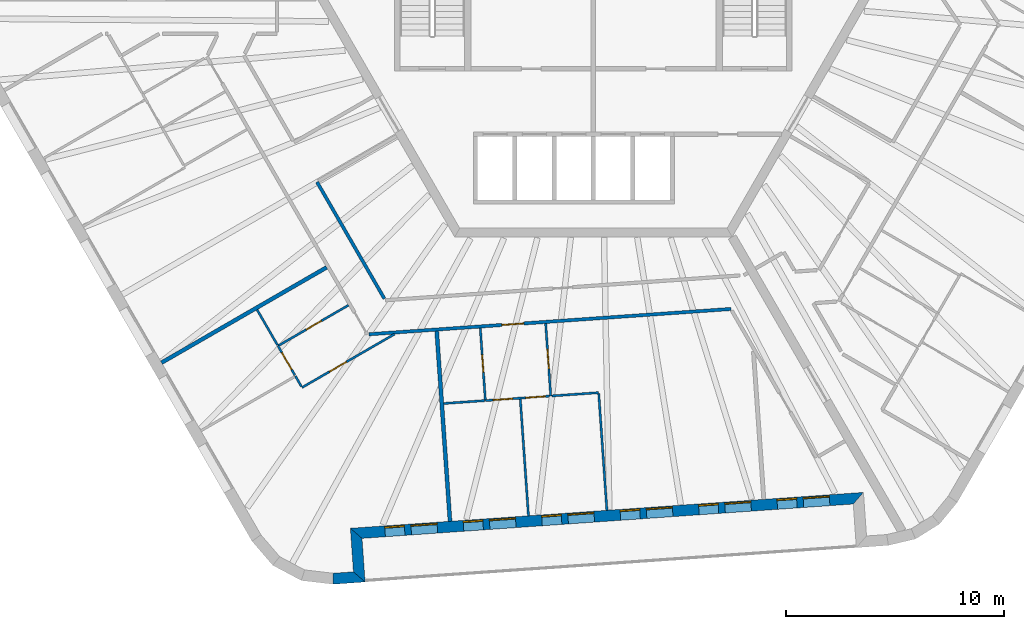
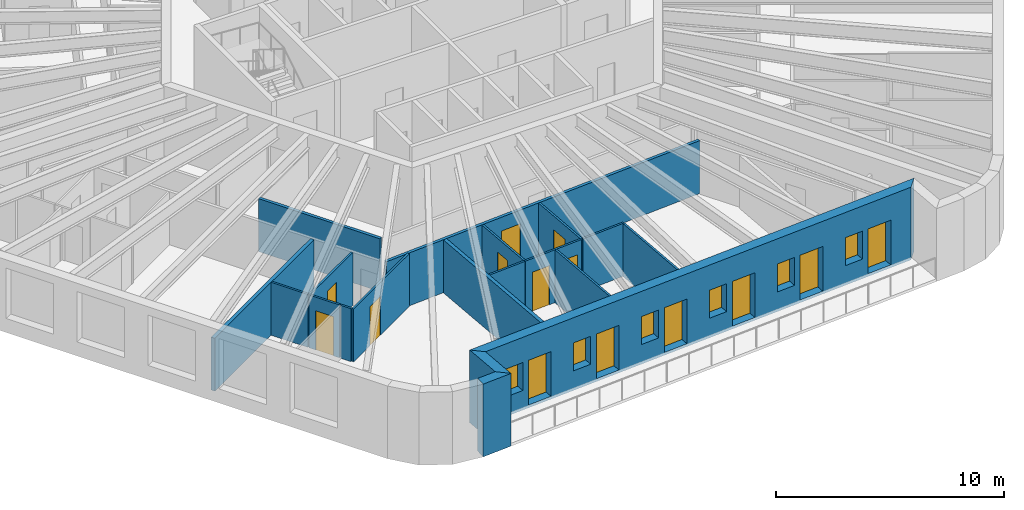
# One storey, part 3 of 12: 19 walls, 14 doors, 6 windows, 20 openings.
"""IFC4 building model written with IfcOpenShell, lengths in metres."""

from ifc_helpers import new_model, si_unit, direction, frame, frame_2d, origin, place, context, subcontext, project, spatial, polyline, rectangle, outline, extrude, material, layer, layer_set, type_object, element, fill, save


model = new_model("IFC4")

# Units and contexts
model_context = context("Model", 3, precision=1e-05, world=origin(), true_north=direction((0.0, 1.0)))
body_context = subcontext(model_context, "Body", "Model", "MODEL_VIEW")
ifc_project = project(units=[si_unit("LENGTHUNIT", "METRE"), si_unit("AREAUNIT", "SQUARE_METRE"), si_unit("VOLUMEUNIT", "CUBIC_METRE"), si_unit("PLANEANGLEUNIT", "RADIAN"), si_unit("MASSUNIT", "GRAM", prefix="KILO")], contexts=[model_context])

# Site, building, storey
site_placement = place(None, origin())
site = spatial("IfcSite", under=ifc_project, at=site_placement, CompositionType="ELEMENT")
building_placement = place(site_placement, origin())
building = spatial("IfcBuilding", under=site, at=building_placement, Name="Tarnside Tower", CompositionType="ELEMENT")
storey_placement = place(building_placement, frame((0.0, 0.0, 330.300048828125)))
storey = spatial("IfcBuildingStorey", under=building, at=storey_placement, Name="L80", CompositionType="ELEMENT", Elevation=330.300048828125)

# Wall, opening, door
ifc_material_1 = material(Name="Gypsum board partition on steel studs", Category="steel")
ifc_layer_1 = layer(ifc_material_1, 0.10009765625)
ifc_layer_set_1 = layer_set([ifc_layer_1], Name="Bathroom wall 100")
wall_type_1 = type_object("IfcWallType", Name="Bathroom wall 100", PredefinedType="PARTITIONING", material=ifc_layer_set_1)
wall_1_placement = place(storey_placement, frame((-11.215087890625, -14.124755859375, 0.0), z_axis=(0.0, 0.0, 1.0), x_axis=(-0.866028424924, -0.499994767197, 0.0)))
wall_1 = element("IfcWall", 1, at=wall_1_placement, inside=storey, type_object=wall_type_1, Name="Bathroom wall 26125", PredefinedType="PARTITIONING", context=body_context, shape_type="SweptSolid", body=[
    extrude(rectangle(XDim=3.72509765625, YDim=0.10009765625, at=frame_2d((1.862548828125, 0.0))), origin(), (0.0, 0.0, 1.0), 2.837646484375),
])
opening_1_placement = place(wall_1_placement, frame((1.425048828125, 0.0, 0.0)))
opening_1 = element("IfcOpeningElement", 2, at=opening_1_placement, cuts=wall_1, Name="Opening D-B1", PredefinedType="OPENING", context=body_context, shape_type="SweptSolid", body=[
    extrude(rectangle(XDim=0.800048828125, YDim=2.10009765625, at=frame_2d((0.39990234375, 1.050048828125))), frame((0.0, 0.06005859375, 0.0), z_axis=(0.0, -1.0, 0.0), x_axis=(1.0, 0.0, 0.0)), (0.0, 0.0, 1.0), 0.1201171875),
])
ifc_material_2 = material(Name="Timber door leaf", Category="wood")
door_type_1 = type_object("IfcDoorType", Name="Bathroom door 800", OperationType="NOTDEFINED", PredefinedType="DOOR", material=ifc_material_2)
door_1_placement = place(opening_1_placement, origin())
door_1 = element("IfcDoor", 3, at=door_1_placement, inside=storey, type_object=door_type_1, Name="Bathroom door 26031", OperationType="SINGLE_SWING_RIGHT", OverallHeight=2.10009765625, OverallWidth=0.800048828125, PredefinedType="DOOR", context=body_context, shape_type="SweptSolid", body=[
    extrude(rectangle(XDim=0.800048828125, YDim=2.10009765625, at=frame_2d((0.39990234375, 1.050048828125))), frame((0.0, 0.02490234375, 0.0), z_axis=(0.0, -1.0, 0.0), x_axis=(1.0, 0.0, 0.0)), (0.0, 0.0, 1.0), 0.050048828125),
])
fill(opening_1, door_1)

# Wall
wall_2_placement = place(storey_placement, frame((-15.396240234375, -14.333251953125, 0.0), z_axis=(0.0, 0.0, 1.0), x_axis=(0.500115926523, -0.865958463229, 0.0)))
element("IfcWall", 4, at=wall_2_placement, inside=storey, type_object=wall_type_1, Name="Bathroom wall 26127", PredefinedType="PARTITIONING", context=body_context, shape_type="SweptSolid", body=[
    extrude(rectangle(XDim=1.86181640625, YDim=0.10009765625, at=frame_2d((0.930908203125, 0.0))), origin(), (0.0, 0.0, 1.0), 2.837646484375),
])

# Wall, opening, door
wall_3_placement = place(storey_placement, frame((-5.178955078125, -15.17333984375, 0.0), z_axis=(0.0, 0.0, 1.0), x_axis=(0.069754598287, -0.997564181403, 0.0)))
wall_3 = element("IfcWall", 5, at=wall_3_placement, inside=storey, type_object=wall_type_1, Name="Bathroom wall 26132", PredefinedType="PARTITIONING", context=body_context, shape_type="SweptSolid", body=[
    extrude(rectangle(XDim=3.324951171875, YDim=0.10009765625, at=frame_2d((1.66259765625, 0.0))), origin(), (0.0, 0.0, 1.0), 2.837646484375),
])
opening_2_placement = place(wall_3_placement, frame((1.22509765625, 0.0, 0.0)))
opening_2 = element("IfcOpeningElement", 6, at=opening_2_placement, cuts=wall_3, Name="Opening D-B1", PredefinedType="OPENING", context=body_context, shape_type="SweptSolid", body=[
    extrude(rectangle(XDim=0.800048828125, YDim=2.10009765625, at=frame_2d((0.39990234375, 1.050048828125))), frame((0.0, 0.06005859375, 0.0), z_axis=(0.0, -1.0, 0.0), x_axis=(1.0, 0.0, 0.0)), (0.0, 0.0, 1.0), 0.1201171875),
])
door_2_placement = place(opening_2_placement, origin())
door_2 = element("IfcDoor", 7, at=door_2_placement, inside=storey, type_object=door_type_1, Name="Bathroom door 26035", OperationType="SINGLE_SWING_RIGHT", OverallHeight=2.10009765625, OverallWidth=0.800048828125, PredefinedType="DOOR", context=body_context, shape_type="SweptSolid", body=[
    extrude(rectangle(XDim=0.800048828125, YDim=2.10009765625, at=frame_2d((0.39990234375, 1.050048828125))), frame((0.0, 0.02490234375, 0.0), z_axis=(0.0, -1.0, 0.0), x_axis=(1.0, 0.0, 0.0)), (0.0, 0.0, 1.0), 0.050048828125),
])
fill(opening_2, door_2)

# Wall
wall_4_placement = place(storey_placement, frame((-6.852294921875, -18.623291015625, 0.0), z_axis=(0.0, 0.0, 1.0), x_axis=(0.997564079323, 0.069756058123, 0.0)))
element("IfcWall", 8, at=wall_4_placement, inside=storey, type_object=wall_type_1, Name="Bathroom wall 26135", PredefinedType="PARTITIONING", context=body_context, shape_type="SweptSolid", body=[
    extrude(rectangle(XDim=1.862060546875, YDim=0.10009765625, at=frame_2d((0.93115234375, 0.0))), origin(), (0.0, 0.0, 1.0), 2.837646484375),
])

# Wall, opening, door
ifc_layer_2 = layer(ifc_material_1, 0.14990234375)
ifc_layer_set_2 = layer_set([ifc_layer_2], Name="Corridor wall 150 EI 60")
wall_type_2 = type_object("IfcWallType", Name="Corridor wall 150 EI 60", PredefinedType="PARTITIONING", material=ifc_layer_set_2)
wall_5_placement = place(storey_placement, frame((-10.2744140625, -15.454345703125, 0.0), z_axis=(0.0, 0.0, 1.0), x_axis=(0.997563645223, 0.069762265797, 0.0)))
wall_5 = element("IfcWall", 9, at=wall_5_placement, inside=storey, type_object=wall_type_2, Name="Corridor wall 26035", PredefinedType="PARTITIONING", context=body_context, shape_type="SweptSolid", body=[
    extrude(rectangle(XDim=16.605712890625, YDim=0.14990234375, at=frame_2d((8.302734375, 0.0))), origin(), (0.0, 0.0, 1.0), 2.837646484375),
])
opening_3_placement = place(wall_5_placement, frame((6.1025390625, 0.0, 0.0)))
opening_3 = element("IfcOpeningElement", 10, at=opening_3_placement, cuts=wall_5, Name="Opening D-E1", PredefinedType="OPENING", context=body_context, shape_type="SweptSolid", body=[
    extrude(rectangle(XDim=1.0, YDim=2.10009765625, at=frame_2d((0.5, 1.050048828125))), frame((0.0, 0.0849609375, 0.0), z_axis=(0.0, -1.0, 0.0), x_axis=(1.0, 0.0, 0.0)), (0.0, 0.0, 1.0), 0.169921875),
])
door_type_2 = type_object("IfcDoorType", Name="Unit entrance door 1000 FD30S", OperationType="NOTDEFINED", PredefinedType="DOOR", material=ifc_material_2)
door_3_placement = place(opening_3_placement, origin())
door_3 = element("IfcDoor", 11, at=door_3_placement, inside=storey, type_object=door_type_2, Name="Unit door 26034", OperationType="SINGLE_SWING_RIGHT", OverallHeight=2.10009765625, OverallWidth=1.0, PredefinedType="DOOR", context=body_context, shape_type="SweptSolid", body=[
    extrude(rectangle(XDim=1.0, YDim=2.10009765625, at=frame_2d((0.5, 1.050048828125))), frame((0.0, 0.02490234375, 0.0), z_axis=(0.0, -1.0, 0.0), x_axis=(1.0, 0.0, 0.0)), (0.0, 0.0, 1.0), 0.050048828125),
])
fill(opening_3, door_3)

# Walls
wall_6_placement = place(storey_placement, frame((-9.56884765625, -13.826171875, 0.0), z_axis=(0.0, 0.0, 1.0), x_axis=(-0.500017101833, 0.866015529811, 0.0)))
element("IfcWall", 12, at=wall_6_placement, inside=storey, type_object=wall_type_2, Name="Corridor wall 26052", PredefinedType="PARTITIONING", context=body_context, shape_type="SweptSolid", body=[
    extrude(rectangle(XDim=6.168212890625, YDim=0.14990234375, at=frame_2d((3.083984375, 0.0))), origin(), (0.0, 0.0, 1.0), 2.837646484375),
])
ifc_layer_3 = layer(ifc_material_1, 0.179931640625)
ifc_layer_set_3 = layer_set([ifc_layer_3], Name="Demising wall 180 EI 60")
wall_type_3 = type_object("IfcWallType", Name="Demising wall 180 EI 60", PredefinedType="PARTITIONING", material=ifc_layer_set_3)
for number, where, z_axis, x_axis, name in (
    (13, (-19.771240234375, -16.755126953125, 0.0), (0.0, 0.0, 1.0), (0.866025292695, 0.500000192413, 0.0), "Demising wall 26111"),
    (14, (-6.5654296875, -24.0166015625, 0.0), (0.0, 0.0, 1.0), (-0.06975756604, 0.997563973878, 0.0), "Demising wall 26123"),
):
    element("IfcWall", number, at=place(storey_placement, frame(where, z_axis=z_axis, x_axis=x_axis)), inside=storey, type_object=wall_type_3, Name=name, PredefinedType="PARTITIONING", context=body_context, shape_type="SweptSolid", body=[
        extrude(rectangle(XDim=8.72509765625, YDim=0.179931640625, at=frame_2d((4.362548828125, 0.0))), origin(), (0.0, 0.0, 1.0), 2.837646484375),
    ])
ifc_material_3 = material(Name="Dark zinc cladding")
ifc_layer_4 = layer(ifc_material_3, 0.10205078125)
ifc_material_4 = material(Name="Concrete C60/75 precast", Category="concrete")
ifc_layer_5 = layer(ifc_material_4, 0.298095703125)
ifc_material_5 = material(Name="Mineral wool insulation")
ifc_layer_6 = layer(ifc_material_5, 0.10009765625)
ifc_layer_set_4 = layer_set([ifc_layer_4, ifc_layer_5, ifc_layer_6], Name="Loggia wall 500 zinc faced")
wall_type_4 = type_object("IfcWallType", Name="Loggia wall 500 zinc faced", PredefinedType="SOLIDWALL", material=ifc_layer_set_4)
wall_7_placement = place(storey_placement, frame((-11.91748046875, -26.646240234375, -0.150146484375), z_axis=(0.0, 0.0, 1.0), x_axis=(0.997562933087, 0.069772448216, 0.0)))
element("IfcWall", 15, at=wall_7_placement, inside=storey, type_object=wall_type_4, Name="Tube wall L80 F4 stub 16", PredefinedType="SOLIDWALL", context=body_context, shape_type="SweptSolid", body=[
    extrude(outline(polyline([(-0.0234375, -0.25), (1.4501953125, -0.25), (0.9501953125, 0.25), (0.0234375, 0.25), (-0.0234375, -0.25)])), origin(), (0.0, 0.0, 1.0), 3.900146484375),
])
wall_8_placement = place(storey_placement, frame((-10.72021484375, -26.5625, -0.150146484375), z_axis=(0.0, 0.0, 1.0), x_axis=(-0.069824268692, 0.99755930726, 0.0)))
element("IfcWall", 16, at=wall_8_placement, inside=storey, type_object=wall_type_4, Name="Tube wall L80 F4 return 17", PredefinedType="SOLIDWALL", context=body_context, shape_type="SweptSolid", body=[
    extrude(outline(polyline([(-0.25, -0.25), (1.75, -0.25), (2.25, 0.25), (0.25, 0.25), (-0.25, -0.25)])), origin(), (0.0, 0.0, 1.0), 3.900146484375),
])

# Wall, openings, doors, windows
wall_9_placement = place(storey_placement, frame((-10.85986328125, -24.5673828125, -0.150146484375), z_axis=(0.0, 0.0, 1.0), x_axis=(0.997564329317, 0.06975248292, 0.0)))
wall_9 = element("IfcWall", 17, at=wall_9_placement, inside=storey, type_object=wall_type_4, Name="Tube wall L80 F4 back 18", PredefinedType="SOLIDWALL", context=body_context, shape_type="SweptSolid", body=[
    extrude(outline(polyline([(0.25, -0.25), (22.794677734375, -0.25), (23.294677734375, 0.25), (-0.25, 0.25), (0.25, -0.25)])), origin(), (0.0, 0.0, 1.0), 3.900146484375),
])
opening_4_placement = place(wall_9_placement, frame((1.322509765625, 0.0, 1.050048828125)))
opening_4 = element("IfcOpeningElement", 18, at=opening_4_placement, cuts=wall_9, Name="Opening WL500", PredefinedType="OPENING", context=body_context, shape_type="SweptSolid", body=[
    extrude(rectangle(XDim=0.89990234375, YDim=1.5, at=frame_2d((0.449951171875, 0.75))), frame((0.0, 0.260009765625, 0.0), z_axis=(0.0, -1.0, 0.0), x_axis=(1.0, 0.0, 0.0)), (0.0, 0.0, 1.0), 0.52001953125),
])
opening_5_placement = place(wall_9_placement, frame((2.5224609375, 0.0, 0.14990234375)))
opening_5 = element("IfcOpeningElement", 19, at=opening_5_placement, cuts=wall_9, Name="Opening DB500", PredefinedType="OPENING", context=body_context, shape_type="SweptSolid", body=[
    extrude(rectangle(XDim=1.199951171875, YDim=2.39990234375, at=frame_2d((0.60009765625, 1.199951171875))), frame((0.0, 0.260009765625, 0.0), z_axis=(0.0, -1.0, 0.0), x_axis=(1.0, 0.0, 0.0)), (0.0, 0.0, 1.0), 0.52001953125),
])
opening_6_placement = place(wall_9_placement, frame((4.92236328125, 0.0, 1.050048828125)))
opening_6 = element("IfcOpeningElement", 20, at=opening_6_placement, cuts=wall_9, Name="Opening WL500", PredefinedType="OPENING", context=body_context, shape_type="SweptSolid", body=[
    extrude(rectangle(XDim=0.89990234375, YDim=1.5, at=frame_2d((0.449951171875, 0.75))), frame((0.0, 0.260009765625, 0.0), z_axis=(0.0, -1.0, 0.0), x_axis=(1.0, 0.0, 0.0)), (0.0, 0.0, 1.0), 0.52001953125),
])
opening_7_placement = place(wall_9_placement, frame((6.122314453125, 0.0, 0.14990234375)))
opening_7 = element("IfcOpeningElement", 21, at=opening_7_placement, cuts=wall_9, Name="Opening DB500", PredefinedType="OPENING", context=body_context, shape_type="SweptSolid", body=[
    extrude(rectangle(XDim=1.199951171875, YDim=2.39990234375, at=frame_2d((0.60009765625, 1.199951171875))), frame((0.0, 0.260009765625, 0.0), z_axis=(0.0, -1.0, 0.0), x_axis=(1.0, 0.0, 0.0)), (0.0, 0.0, 1.0), 0.52001953125),
])
opening_8_placement = place(wall_9_placement, frame((8.5224609375, 0.0, 1.050048828125)))
opening_8 = element("IfcOpeningElement", 22, at=opening_8_placement, cuts=wall_9, Name="Opening WL500", PredefinedType="OPENING", context=body_context, shape_type="SweptSolid", body=[
    extrude(rectangle(XDim=0.89990234375, YDim=1.5, at=frame_2d((0.449951171875, 0.75))), frame((0.0, 0.260009765625, 0.0), z_axis=(0.0, -1.0, 0.0), x_axis=(1.0, 0.0, 0.0)), (0.0, 0.0, 1.0), 0.52001953125),
])
opening_9_placement = place(wall_9_placement, frame((9.722412109375, 0.0, 0.14990234375)))
opening_9 = element("IfcOpeningElement", 23, at=opening_9_placement, cuts=wall_9, Name="Opening DB500", PredefinedType="OPENING", context=body_context, shape_type="SweptSolid", body=[
    extrude(rectangle(XDim=1.199951171875, YDim=2.39990234375, at=frame_2d((0.60009765625, 1.199951171875))), frame((0.0, 0.260009765625, 0.0), z_axis=(0.0, -1.0, 0.0), x_axis=(1.0, 0.0, 0.0)), (0.0, 0.0, 1.0), 0.52001953125),
])
opening_10_placement = place(wall_9_placement, frame((12.122314453125, 0.0, 1.050048828125)))
opening_10 = element("IfcOpeningElement", 24, at=opening_10_placement, cuts=wall_9, Name="Opening WL500", PredefinedType="OPENING", context=body_context, shape_type="SweptSolid", body=[
    extrude(rectangle(XDim=0.89990234375, YDim=1.5, at=frame_2d((0.449951171875, 0.75))), frame((0.0, 0.260009765625, 0.0), z_axis=(0.0, -1.0, 0.0), x_axis=(1.0, 0.0, 0.0)), (0.0, 0.0, 1.0), 0.52001953125),
])
opening_11_placement = place(wall_9_placement, frame((13.322509765625, 0.0, 0.14990234375)))
opening_11 = element("IfcOpeningElement", 25, at=opening_11_placement, cuts=wall_9, Name="Opening DB500", PredefinedType="OPENING", context=body_context, shape_type="SweptSolid", body=[
    extrude(rectangle(XDim=1.199951171875, YDim=2.39990234375, at=frame_2d((0.60009765625, 1.199951171875))), frame((0.0, 0.260009765625, 0.0), z_axis=(0.0, -1.0, 0.0), x_axis=(1.0, 0.0, 0.0)), (0.0, 0.0, 1.0), 0.52001953125),
])
opening_12_placement = place(wall_9_placement, frame((15.722412109375, 0.0, 1.050048828125)))
opening_12 = element("IfcOpeningElement", 26, at=opening_12_placement, cuts=wall_9, Name="Opening WL500", PredefinedType="OPENING", context=body_context, shape_type="SweptSolid", body=[
    extrude(rectangle(XDim=0.89990234375, YDim=1.5, at=frame_2d((0.449951171875, 0.75))), frame((0.0, 0.260009765625, 0.0), z_axis=(0.0, -1.0, 0.0), x_axis=(1.0, 0.0, 0.0)), (0.0, 0.0, 1.0), 0.52001953125),
])
opening_13_placement = place(wall_9_placement, frame((16.92236328125, 0.0, 0.14990234375)))
opening_13 = element("IfcOpeningElement", 27, at=opening_13_placement, cuts=wall_9, Name="Opening DB500", PredefinedType="OPENING", context=body_context, shape_type="SweptSolid", body=[
    extrude(rectangle(XDim=1.199951171875, YDim=2.39990234375, at=frame_2d((0.60009765625, 1.199951171875))), frame((0.0, 0.260009765625, 0.0), z_axis=(0.0, -1.0, 0.0), x_axis=(1.0, 0.0, 0.0)), (0.0, 0.0, 1.0), 0.52001953125),
])
opening_14_placement = place(wall_9_placement, frame((19.322509765625, 0.0, 1.050048828125)))
opening_14 = element("IfcOpeningElement", 28, at=opening_14_placement, cuts=wall_9, Name="Opening WL500", PredefinedType="OPENING", context=body_context, shape_type="SweptSolid", body=[
    extrude(rectangle(XDim=0.89990234375, YDim=1.5, at=frame_2d((0.449951171875, 0.75))), frame((0.0, 0.260009765625, 0.0), z_axis=(0.0, -1.0, 0.0), x_axis=(1.0, 0.0, 0.0)), (0.0, 0.0, 1.0), 0.52001953125),
])
opening_15_placement = place(wall_9_placement, frame((20.5224609375, 0.0, 0.14990234375)))
opening_15 = element("IfcOpeningElement", 29, at=opening_15_placement, cuts=wall_9, Name="Opening DB500", PredefinedType="OPENING", context=body_context, shape_type="SweptSolid", body=[
    extrude(rectangle(XDim=1.199951171875, YDim=2.39990234375, at=frame_2d((0.60009765625, 1.199951171875))), frame((0.0, 0.260009765625, 0.0), z_axis=(0.0, -1.0, 0.0), x_axis=(1.0, 0.0, 0.0)), (0.0, 0.0, 1.0), 0.52001953125),
])
ifc_material_6 = material(Name="Aluminium-framed double glazing", Category="aluminium")
door_type_3 = type_object("IfcDoorType", Name="Balcony sliding door 1200 x 2400 in 500 wall", OperationType="SLIDING_TO_LEFT", PredefinedType="DOOR", material=ifc_material_6)
door_4_placement = place(opening_5_placement, frame((0.0, 0.1748046875, 0.0)))
door_4 = element("IfcDoor", 30, at=door_4_placement, inside=storey, type_object=door_type_3, Name="E.BD.L80.F4.00", OperationType="SLIDING_TO_LEFT", OverallHeight=2.39990234375, OverallWidth=1.199951171875, PredefinedType="DOOR", context=body_context, shape_type="SweptSolid", body=[
    extrude(rectangle(XDim=1.199951171875, YDim=2.39990234375, at=frame_2d((0.60009765625, 1.199951171875))), frame((0.0, 0.02490234375, 0.0), z_axis=(0.0, -1.0, 0.0), x_axis=(1.0, 0.0, 0.0)), (0.0, 0.0, 1.0), 0.050048828125),
])
fill(opening_5, door_4)
door_5_placement = place(opening_7_placement, frame((0.0, 0.1748046875, 0.0)))
door_5 = element("IfcDoor", 31, at=door_5_placement, inside=storey, type_object=door_type_3, Name="E.BD.L80.F4.01", OperationType="SLIDING_TO_LEFT", OverallHeight=2.39990234375, OverallWidth=1.199951171875, PredefinedType="DOOR", context=body_context, shape_type="SweptSolid", body=[
    extrude(rectangle(XDim=1.199951171875, YDim=2.39990234375, at=frame_2d((0.60009765625, 1.199951171875))), frame((0.0, 0.02490234375, 0.0), z_axis=(0.0, -1.0, 0.0), x_axis=(1.0, 0.0, 0.0)), (0.0, 0.0, 1.0), 0.050048828125),
])
fill(opening_7, door_5)
door_6_placement = place(opening_9_placement, frame((0.0, 0.1748046875, 0.0)))
door_6 = element("IfcDoor", 32, at=door_6_placement, inside=storey, type_object=door_type_3, Name="E.BD.L80.F4.02", OperationType="SLIDING_TO_LEFT", OverallHeight=2.39990234375, OverallWidth=1.199951171875, PredefinedType="DOOR", context=body_context, shape_type="SweptSolid", body=[
    extrude(rectangle(XDim=1.199951171875, YDim=2.39990234375, at=frame_2d((0.60009765625, 1.199951171875))), frame((0.0, 0.02490234375, 0.0), z_axis=(0.0, -1.0, 0.0), x_axis=(1.0, 0.0, 0.0)), (0.0, 0.0, 1.0), 0.050048828125),
])
fill(opening_9, door_6)
door_7_placement = place(opening_11_placement, frame((0.0, 0.1748046875, 0.0)))
door_7 = element("IfcDoor", 33, at=door_7_placement, inside=storey, type_object=door_type_3, Name="E.BD.L80.F4.03", OperationType="SLIDING_TO_LEFT", OverallHeight=2.39990234375, OverallWidth=1.199951171875, PredefinedType="DOOR", context=body_context, shape_type="SweptSolid", body=[
    extrude(rectangle(XDim=1.199951171875, YDim=2.39990234375, at=frame_2d((0.60009765625, 1.199951171875))), frame((0.0, 0.02490234375, 0.0), z_axis=(0.0, -1.0, 0.0), x_axis=(1.0, 0.0, 0.0)), (0.0, 0.0, 1.0), 0.050048828125),
])
fill(opening_11, door_7)
door_8_placement = place(opening_13_placement, frame((0.0, 0.1748046875, 0.0)))
door_8 = element("IfcDoor", 34, at=door_8_placement, inside=storey, type_object=door_type_3, Name="E.BD.L80.F4.04", OperationType="SLIDING_TO_LEFT", OverallHeight=2.39990234375, OverallWidth=1.199951171875, PredefinedType="DOOR", context=body_context, shape_type="SweptSolid", body=[
    extrude(rectangle(XDim=1.199951171875, YDim=2.39990234375, at=frame_2d((0.60009765625, 1.199951171875))), frame((0.0, 0.02490234375, 0.0), z_axis=(0.0, -1.0, 0.0), x_axis=(1.0, 0.0, 0.0)), (0.0, 0.0, 1.0), 0.050048828125),
])
fill(opening_13, door_8)
door_9_placement = place(opening_15_placement, frame((0.0, 0.1748046875, 0.0)))
door_9 = element("IfcDoor", 35, at=door_9_placement, inside=storey, type_object=door_type_3, Name="E.BD.L80.F4.05", OperationType="SLIDING_TO_LEFT", OverallHeight=2.39990234375, OverallWidth=1.199951171875, PredefinedType="DOOR", context=body_context, shape_type="SweptSolid", body=[
    extrude(rectangle(XDim=1.199951171875, YDim=2.39990234375, at=frame_2d((0.60009765625, 1.199951171875))), frame((0.0, 0.02490234375, 0.0), z_axis=(0.0, -1.0, 0.0), x_axis=(1.0, 0.0, 0.0)), (0.0, 0.0, 1.0), 0.050048828125),
])
fill(opening_15, door_9)
window_type = type_object("IfcWindowType", Name="Loggia window 900 x 1500 in 500 wall", PartitioningType="SINGLE_PANEL", PredefinedType="WINDOW", material=ifc_material_6)
window_1_placement = place(opening_4_placement, frame((0.0, 0.179931640625, 0.0)))
window_1 = element("IfcWindow", 36, at=window_1_placement, inside=storey, type_object=window_type, Name="E.LW.L80.F4.00", OverallHeight=1.5, OverallWidth=0.89990234375, PartitioningType="SINGLE_PANEL", PredefinedType="WINDOW", context=body_context, shape_type="SweptSolid", body=[
    extrude(rectangle(XDim=0.89990234375, YDim=1.5, at=frame_2d((0.449951171875, 0.75))), frame((0.0, 0.030029296875, 0.0), z_axis=(0.0, -1.0, 0.0), x_axis=(1.0, 0.0, 0.0)), (0.0, 0.0, 1.0), 0.06005859375),
])
fill(opening_4, window_1)
window_2_placement = place(opening_6_placement, frame((0.0, 0.179931640625, 0.0)))
window_2 = element("IfcWindow", 37, at=window_2_placement, inside=storey, type_object=window_type, Name="E.LW.L80.F4.01", OverallHeight=1.5, OverallWidth=0.89990234375, PartitioningType="SINGLE_PANEL", PredefinedType="WINDOW", context=body_context, shape_type="SweptSolid", body=[
    extrude(rectangle(XDim=0.89990234375, YDim=1.5, at=frame_2d((0.449951171875, 0.75))), frame((0.0, 0.030029296875, 0.0), z_axis=(0.0, -1.0, 0.0), x_axis=(1.0, 0.0, 0.0)), (0.0, 0.0, 1.0), 0.06005859375),
])
fill(opening_6, window_2)
window_3_placement = place(opening_8_placement, frame((0.0, 0.179931640625, 0.0)))
window_3 = element("IfcWindow", 38, at=window_3_placement, inside=storey, type_object=window_type, Name="E.LW.L80.F4.02", OverallHeight=1.5, OverallWidth=0.89990234375, PartitioningType="SINGLE_PANEL", PredefinedType="WINDOW", context=body_context, shape_type="SweptSolid", body=[
    extrude(rectangle(XDim=0.89990234375, YDim=1.5, at=frame_2d((0.449951171875, 0.75))), frame((0.0, 0.030029296875, 0.0), z_axis=(0.0, -1.0, 0.0), x_axis=(1.0, 0.0, 0.0)), (0.0, 0.0, 1.0), 0.06005859375),
])
fill(opening_8, window_3)
window_4_placement = place(opening_10_placement, frame((0.0, 0.179931640625, 0.0)))
window_4 = element("IfcWindow", 39, at=window_4_placement, inside=storey, type_object=window_type, Name="E.LW.L80.F4.03", OverallHeight=1.5, OverallWidth=0.89990234375, PartitioningType="SINGLE_PANEL", PredefinedType="WINDOW", context=body_context, shape_type="SweptSolid", body=[
    extrude(rectangle(XDim=0.89990234375, YDim=1.5, at=frame_2d((0.449951171875, 0.75))), frame((0.0, 0.030029296875, 0.0), z_axis=(0.0, -1.0, 0.0), x_axis=(1.0, 0.0, 0.0)), (0.0, 0.0, 1.0), 0.06005859375),
])
fill(opening_10, window_4)
window_5_placement = place(opening_12_placement, frame((0.0, 0.179931640625, 0.0)))
window_5 = element("IfcWindow", 40, at=window_5_placement, inside=storey, type_object=window_type, Name="E.LW.L80.F4.04", OverallHeight=1.5, OverallWidth=0.89990234375, PartitioningType="SINGLE_PANEL", PredefinedType="WINDOW", context=body_context, shape_type="SweptSolid", body=[
    extrude(rectangle(XDim=0.89990234375, YDim=1.5, at=frame_2d((0.449951171875, 0.75))), frame((0.0, 0.030029296875, 0.0), z_axis=(0.0, -1.0, 0.0), x_axis=(1.0, 0.0, 0.0)), (0.0, 0.0, 1.0), 0.06005859375),
])
fill(opening_12, window_5)
window_6_placement = place(opening_14_placement, frame((0.0, 0.179931640625, 0.0)))
window_6 = element("IfcWindow", 41, at=window_6_placement, inside=storey, type_object=window_type, Name="E.LW.L80.F4.05", OverallHeight=1.5, OverallWidth=0.89990234375, PartitioningType="SINGLE_PANEL", PredefinedType="WINDOW", context=body_context, shape_type="SweptSolid", body=[
    extrude(rectangle(XDim=0.89990234375, YDim=1.5, at=frame_2d((0.449951171875, 0.75))), frame((0.0, 0.030029296875, 0.0), z_axis=(0.0, -1.0, 0.0), x_axis=(1.0, 0.0, 0.0)), (0.0, 0.0, 1.0), 0.06005859375),
])
fill(opening_14, window_6)

# Wall, opening, door
ifc_layer_7 = layer(ifc_material_1, 0.10009765625)
ifc_layer_set_5 = layer_set([ifc_layer_7], Name="Partition 100")
wall_type_5 = type_object("IfcWallType", Name="Partition 100", PredefinedType="PARTITIONING", material=ifc_layer_set_5)
wall_10_placement = place(storey_placement, frame((-9.10693359375, -15.447998046875, 0.0), z_axis=(0.0, 0.0, 1.0), x_axis=(-0.866025094983, -0.500000534859, 0.0)))
wall_10 = element("IfcWall", 42, at=wall_10_placement, inside=storey, type_object=wall_type_5, Name="Partition wall 26120", PredefinedType="PARTITIONING", context=body_context, shape_type="SweptSolid", body=[
    extrude(rectangle(XDim=4.88916015625, YDim=0.10009765625, at=frame_2d((2.444580078125, 0.0))), origin(), (0.0, 0.0, 1.0), 2.837646484375),
])
opening_16_placement = place(wall_10_placement, frame((2.539306640625, 0.0, 0.0)))
opening_16 = element("IfcOpeningElement", 43, at=opening_16_placement, cuts=wall_10, Name="Opening D-I1", PredefinedType="OPENING", context=body_context, shape_type="SweptSolid", body=[
    extrude(rectangle(XDim=0.89990234375, YDim=2.10009765625, at=frame_2d((0.449951171875, 1.050048828125))), frame((0.0, 0.06005859375, 0.0), z_axis=(0.0, -1.0, 0.0), x_axis=(1.0, 0.0, 0.0)), (0.0, 0.0, 1.0), 0.1201171875),
])
door_type_4 = type_object("IfcDoorType", Name="Internal door 900", OperationType="NOTDEFINED", PredefinedType="DOOR", material=ifc_material_2)
door_10_placement = place(opening_16_placement, origin())
door_10 = element("IfcDoor", 44, at=door_10_placement, inside=storey, type_object=door_type_4, Name="Internal door 26032", OperationType="SINGLE_SWING_LEFT", OverallHeight=2.10009765625, OverallWidth=0.89990234375, PredefinedType="DOOR", context=body_context, shape_type="SweptSolid", body=[
    extrude(rectangle(XDim=0.89990234375, YDim=2.10009765625, at=frame_2d((0.449951171875, 1.050048828125))), frame((0.0, 0.02490234375, 0.0), z_axis=(0.0, -1.0, 0.0), x_axis=(1.0, 0.0, 0.0)), (0.0, 0.0, 1.0), 0.050048828125),
])
fill(opening_16, door_10)

# Wall
wall_11_placement = place(storey_placement, frame((-13.3662109375, -17.84912109375, 0.0), z_axis=(0.0, 0.0, 1.0), x_axis=(-0.499850094852, 0.866111934265, 0.0)))
element("IfcWall", 45, at=wall_11_placement, inside=storey, type_object=wall_type_5, Name="Partition wall 26121", PredefinedType="PARTITIONING", context=body_context, shape_type="SweptSolid", body=[
    extrude(rectangle(XDim=0.552001953125, YDim=0.10009765625, at=frame_2d((0.27587890625, 0.0))), origin(), (0.0, 0.0, 1.0), 2.837646484375),
])

# Wall, opening, door
wall_12_placement = place(storey_placement, frame((-14.442138671875, -15.985595703125, 0.0), z_axis=(0.0, 0.0, 1.0), x_axis=(0.50008102322, -0.865978619952, 0.0)))
wall_12 = element("IfcWall", 46, at=wall_12_placement, inside=storey, type_object=wall_type_5, Name="Partition wall 26126", PredefinedType="PARTITIONING", context=body_context, shape_type="SweptSolid", body=[
    extrude(rectangle(XDim=1.552001953125, YDim=0.10009765625, at=frame_2d((0.77587890625, 0.0))), origin(), (0.0, 0.0, 1.0), 2.837646484375),
])
opening_17_placement = place(wall_12_placement, frame((0.35205078125, 0.0, 0.0)))
opening_17 = element("IfcOpeningElement", 47, at=opening_17_placement, cuts=wall_12, Name="Opening D-I1", PredefinedType="OPENING", context=body_context, shape_type="SweptSolid", body=[
    extrude(rectangle(XDim=0.89990234375, YDim=2.10009765625, at=frame_2d((0.449951171875, 1.050048828125))), frame((0.0, 0.06005859375, 0.0), z_axis=(0.0, -1.0, 0.0), x_axis=(1.0, 0.0, 0.0)), (0.0, 0.0, 1.0), 0.1201171875),
])
door_11_placement = place(opening_17_placement, origin())
door_11 = element("IfcDoor", 48, at=door_11_placement, inside=storey, type_object=door_type_4, Name="Internal door 26033", OperationType="SINGLE_SWING_LEFT", OverallHeight=2.10009765625, OverallWidth=0.89990234375, PredefinedType="DOOR", context=body_context, shape_type="SweptSolid", body=[
    extrude(rectangle(XDim=0.89990234375, YDim=2.10009765625, at=frame_2d((0.449951171875, 1.050048828125))), frame((0.0, 0.02490234375, 0.0), z_axis=(0.0, -1.0, 0.0), x_axis=(1.0, 0.0, 0.0)), (0.0, 0.0, 1.0), 0.050048828125),
])
fill(opening_17, door_11)

wall_13_placement = place(storey_placement, frame((-2.186279296875, -14.9638671875, 0.0), z_axis=(0.0, 0.0, 1.0), x_axis=(0.069754598287, -0.997564181403, 0.0)))
wall_13 = element("IfcWall", 49, at=wall_13_placement, inside=storey, type_object=wall_type_5, Name="Partition wall 26128", PredefinedType="PARTITIONING", context=body_context, shape_type="SweptSolid", body=[
    extrude(rectangle(XDim=3.324951171875, YDim=0.10009765625, at=frame_2d((1.66259765625, 0.0))), origin(), (0.0, 0.0, 1.0), 2.837646484375),
])
opening_18_placement = place(wall_13_placement, frame((1.175048828125, 0.0, 0.0)))
opening_18 = element("IfcOpeningElement", 50, at=opening_18_placement, cuts=wall_13, Name="Opening D-I1", PredefinedType="OPENING", context=body_context, shape_type="SweptSolid", body=[
    extrude(rectangle(XDim=0.89990234375, YDim=2.10009765625, at=frame_2d((0.449951171875, 1.050048828125))), frame((0.0, 0.06005859375, 0.0), z_axis=(0.0, -1.0, 0.0), x_axis=(1.0, 0.0, 0.0)), (0.0, 0.0, 1.0), 0.1201171875),
])
door_12_placement = place(opening_18_placement, origin())
door_12 = element("IfcDoor", 51, at=door_12_placement, inside=storey, type_object=door_type_4, Name="Internal door 26036", OperationType="SINGLE_SWING_RIGHT", OverallHeight=2.10009765625, OverallWidth=0.89990234375, PredefinedType="DOOR", context=body_context, shape_type="SweptSolid", body=[
    extrude(rectangle(XDim=0.89990234375, YDim=2.10009765625, at=frame_2d((0.449951171875, 1.050048828125))), frame((0.0, 0.02490234375, 0.0), z_axis=(0.0, -1.0, 0.0), x_axis=(1.0, 0.0, 0.0)), (0.0, 0.0, 1.0), 0.050048828125),
])
fill(opening_18, door_12)

# Walls
wall_14_placement = place(storey_placement, frame((-1.906494140625, -18.277587890625, 0.0), z_axis=(0.0, 0.0, 1.0), x_axis=(0.997563548072, 0.069763654999, 0.0)))
element("IfcWall", 52, at=wall_14_placement, inside=storey, type_object=wall_type_5, Name="Partition wall 26129", PredefinedType="PARTITIONING", context=body_context, shape_type="SweptSolid", body=[
    extrude(rectangle(XDim=2.152099609375, YDim=0.10009765625, at=frame_2d((1.076171875, 0.0))), origin(), (0.0, 0.0, 1.0), 2.837646484375),
])
wall_15_placement = place(storey_placement, frame((0.243896484375, -18.17724609375, 0.0), z_axis=(0.0, 0.0, 1.0), x_axis=(0.069729221413, -0.997565955554, 0.0)))
element("IfcWall", 53, at=wall_15_placement, inside=storey, type_object=wall_type_5, Name="Partition wall 26130", PredefinedType="PARTITIONING", context=body_context, shape_type="SweptSolid", body=[
    extrude(rectangle(XDim=5.349853515625, YDim=0.10009765625, at=frame_2d((2.6748046875, 0.0))), origin(), (0.0, 0.0, 1.0), 2.837646484375),
])

# Wall, openings, doors
wall_16_placement = place(storey_placement, frame((-4.948974609375, -18.490234375, 0.0), z_axis=(0.0, 0.0, 1.0), x_axis=(0.997564145845, 0.069755106801, 0.0)))
wall_16 = element("IfcWall", 54, at=wall_16_placement, inside=storey, type_object=wall_type_5, Name="Partition wall 26133", PredefinedType="PARTITIONING", context=body_context, shape_type="SweptSolid", body=[
    extrude(rectangle(XDim=2.953857421875, YDim=0.10009765625, at=frame_2d((1.47705078125, 0.0))), origin(), (0.0, 0.0, 1.0), 2.837646484375),
])
opening_19_placement = place(wall_16_placement, frame((0.35205078125, 0.0, 0.0)))
opening_19 = element("IfcOpeningElement", 55, at=opening_19_placement, cuts=wall_16, Name="Opening D-I1", PredefinedType="OPENING", context=body_context, shape_type="SweptSolid", body=[
    extrude(rectangle(XDim=0.89990234375, YDim=2.10009765625, at=frame_2d((0.449951171875, 1.050048828125))), frame((0.0, 0.06005859375, 0.0), z_axis=(0.0, -1.0, 0.0), x_axis=(1.0, 0.0, 0.0)), (0.0, 0.0, 1.0), 0.1201171875),
])
opening_20_placement = place(wall_16_placement, frame((1.85205078125, 0.0, 0.0)))
opening_20 = element("IfcOpeningElement", 56, at=opening_20_placement, cuts=wall_16, Name="Opening D-I1", PredefinedType="OPENING", context=body_context, shape_type="SweptSolid", body=[
    extrude(rectangle(XDim=0.89990234375, YDim=2.10009765625, at=frame_2d((0.449951171875, 1.050048828125))), frame((0.0, 0.06005859375, 0.0), z_axis=(0.0, -1.0, 0.0), x_axis=(1.0, 0.0, 0.0)), (0.0, 0.0, 1.0), 0.1201171875),
])
door_13_placement = place(opening_19_placement, origin())
door_13 = element("IfcDoor", 57, at=door_13_placement, inside=storey, type_object=door_type_4, Name="Internal door 26037", OperationType="SINGLE_SWING_RIGHT", OverallHeight=2.10009765625, OverallWidth=0.89990234375, PredefinedType="DOOR", context=body_context, shape_type="SweptSolid", body=[
    extrude(rectangle(XDim=0.89990234375, YDim=2.10009765625, at=frame_2d((0.449951171875, 1.050048828125))), frame((0.0, 0.02490234375, 0.0), z_axis=(0.0, -1.0, 0.0), x_axis=(1.0, 0.0, 0.0)), (0.0, 0.0, 1.0), 0.050048828125),
])
fill(opening_19, door_13)
door_14_placement = place(opening_20_placement, origin())
door_14 = element("IfcDoor", 58, at=door_14_placement, inside=storey, type_object=door_type_4, Name="Internal door 26038", OperationType="SINGLE_SWING_LEFT", OverallHeight=2.10009765625, OverallWidth=0.89990234375, PredefinedType="DOOR", context=body_context, shape_type="SweptSolid", body=[
    extrude(rectangle(XDim=0.89990234375, YDim=2.10009765625, at=frame_2d((0.449951171875, 1.050048828125))), frame((0.0, 0.02490234375, 0.0), z_axis=(0.0, -1.0, 0.0), x_axis=(1.0, 0.0, 0.0)), (0.0, 0.0, 1.0), 0.050048828125),
])
fill(opening_20, door_14)

# Wall
wall_17_placement = place(storey_placement, frame((-2.97412109375, -23.765380859375, 0.0), z_axis=(0.0, 0.0, 1.0), x_axis=(-0.069774633622, 0.997562780231, 0.0)))
element("IfcWall", 59, at=wall_17_placement, inside=storey, type_object=wall_type_5, Name="Partition wall 26136", PredefinedType="PARTITIONING", context=body_context, shape_type="SweptSolid", body=[
    extrude(rectangle(XDim=5.349853515625, YDim=0.10009765625, at=frame_2d((2.6748046875, 0.0))), origin(), (0.0, 0.0, 1.0), 2.837646484375),
])

save(model, "model.ifc")
